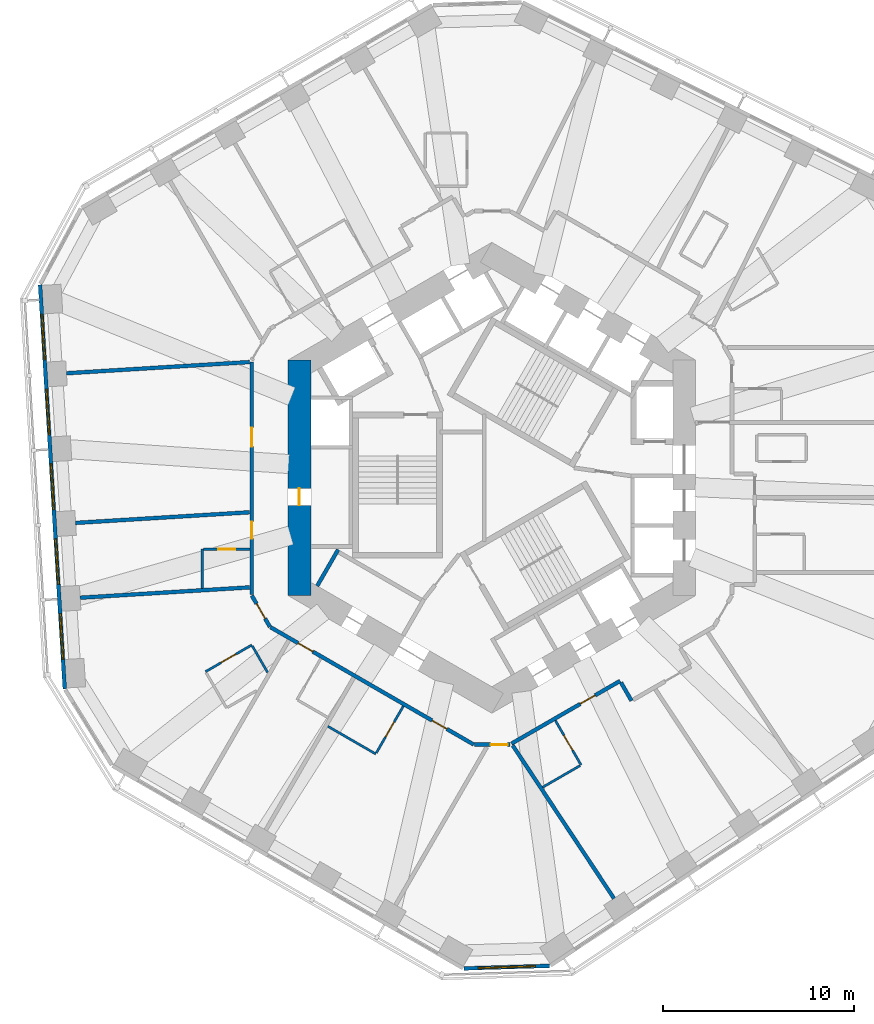
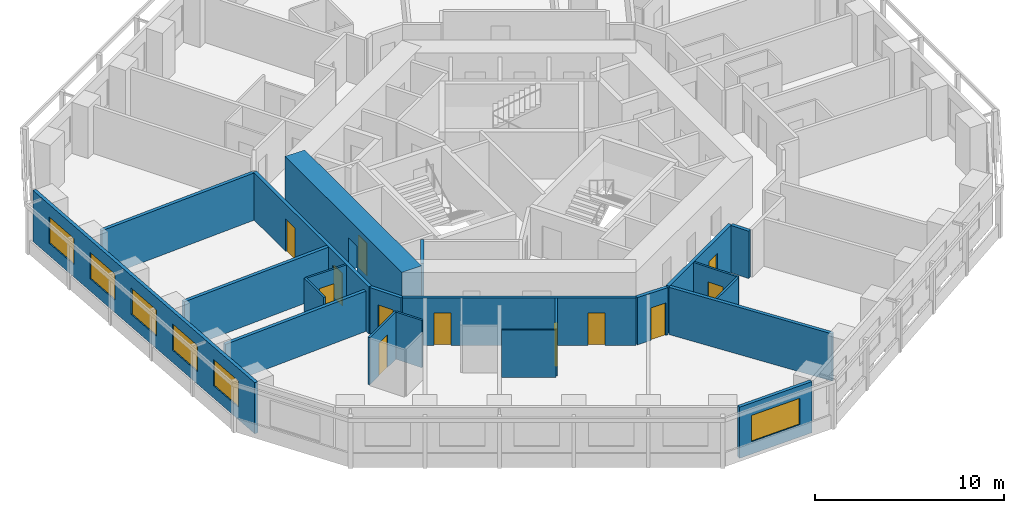
# One storey, part 4 of 12: 22 walls, 12 doors, 6 windows, 18 openings.
"""IFC4 building model written with IfcOpenShell, lengths in metres."""

from ifc_helpers import new_model, si_unit, direction, frame, frame_2d, origin, place, context, subcontext, project, spatial, rectangle, extrude, material, layer, layer_set, type_object, element, fill, save


model = new_model("IFC4")

# Units and contexts
model_context = context("Model", 3, precision=1e-05, world=origin(), true_north=direction((0.0, 1.0)))
body_context = subcontext(model_context, "Body", "Model", "MODEL_VIEW")
ifc_project = project(units=[si_unit("LENGTHUNIT", "METRE"), si_unit("AREAUNIT", "SQUARE_METRE"), si_unit("VOLUMEUNIT", "CUBIC_METRE"), si_unit("PLANEANGLEUNIT", "RADIAN"), si_unit("MASSUNIT", "GRAM", prefix="KILO")], contexts=[model_context])

# Site, building, storey
site_placement = place(None, origin())
site = spatial("IfcSite", under=ifc_project, at=site_placement, CompositionType="ELEMENT")
building_placement = place(site_placement, origin())
building = spatial("IfcBuilding", under=site, at=building_placement, Name="Vanh Sen Convention Tower", CompositionType="ELEMENT")
storey_placement = place(building_placement, frame((0.0, 0.0, 50.60009765625)))
storey = spatial("IfcBuildingStorey", under=building, at=storey_placement, Name="L09", CompositionType="ELEMENT", Elevation=50.60009765625)

# Wall
ifc_material_1 = material(Name="Moisture-resistant gypsum board on steel studs", Category="steel")
ifc_layer_1 = layer(ifc_material_1, 0.1201171875)
ifc_layer_set_1 = layer_set([ifc_layer_1], Name="Moisture-resistant gypsum board on steel studs")
wall_type_1 = type_object("IfcWallType", Name="Bathroom partition 120", PredefinedType="PARTITIONING", material=ifc_layer_set_1)
wall_1_placement = place(storey_placement, frame((-15.199951171875, -5.8037109375, 0.0), z_axis=(0.0, 0.0, 1.0), x_axis=(0.0, 1.0, 0.0)))
element("IfcWall", 1, at=wall_1_placement, inside=storey, type_object=wall_type_1, Name="Bathroom partition 120", PredefinedType="PARTITIONING", context=body_context, shape_type="SweptSolid", body=[
    extrude(rectangle(XDim=2.059326171875, YDim=0.1201171875, at=frame_2d((1.02978515625, 0.0))), origin(), (0.0, 0.0, 1.0), 3.0498046875),
])

# Wall, opening, door
wall_2_placement = place(storey_placement, frame((-15.139892578125, -3.744384765625, 0.0), z_axis=(0.0, 0.0, 1.0), x_axis=(1.0, 0.0, 0.0)))
wall_2 = element("IfcWall", 2, at=wall_2_placement, inside=storey, type_object=wall_type_1, Name="Bathroom partition 120", PredefinedType="PARTITIONING", context=body_context, shape_type="SweptSolid", body=[
    extrude(rectangle(XDim=2.43994140625, YDim=0.1201171875, at=frame_2d((1.219970703125, 0.0))), origin(), (0.0, 0.0, 1.0), 3.0498046875),
])
opening_1_placement = place(wall_2_placement, frame((0.77001953125, 0.0, 0.0)))
opening_1 = element("IfcOpeningElement", 3, at=opening_1_placement, cuts=wall_2, Name="Opening D07121", PredefinedType="OPENING", context=body_context, shape_type="SweptSolid", body=[
    extrude(rectangle(XDim=0.89990234375, YDim=2.10009765625, at=frame_2d((0.449951171875, 1.050048828125))), frame((0.0, 0.070068359375, 0.0), z_axis=(0.0, -1.0, 0.0), x_axis=(1.0, 0.0, 0.0)), (0.0, 0.0, 1.0), 0.14013671875),
])
ifc_material_2 = material(Name="Laminate door in steel frame", Category="steel")
door_type_1 = type_object("IfcDoorType", Name="En-suite door 900", OperationType="SINGLE_SWING_LEFT", PredefinedType="DOOR", material=ifc_material_2)
door_1_placement = place(opening_1_placement, origin())
door_1 = element("IfcDoor", 4, at=door_1_placement, inside=storey, type_object=door_type_1, Name="En-suite door D07121", OperationType="SINGLE_SWING_LEFT", OverallHeight=2.10009765625, OverallWidth=0.89990234375, PredefinedType="DOOR", context=body_context, shape_type="SweptSolid", body=[
    extrude(rectangle(XDim=0.89990234375, YDim=2.10009765625, at=frame_2d((0.449951171875, 1.050048828125))), frame((0.0, 0.02490234375, 0.0), z_axis=(0.0, -1.0, 0.0), x_axis=(1.0, 0.0, 0.0)), (0.0, 0.0, 1.0), 0.050048828125),
])
fill(opening_1, door_1)

wall_3_placement = place(storey_placement, frame((-15.025634765625, -10.17626953125, 0.0), z_axis=(0.0, 0.0, 1.0), x_axis=(0.865996816683, 0.500049511043, 0.0)))
wall_3 = element("IfcWall", 5, at=wall_3_placement, inside=storey, type_object=wall_type_1, Name="Bathroom partition 120", PredefinedType="PARTITIONING", context=body_context, shape_type="SweptSolid", body=[
    extrude(rectangle(XDim=2.800048828125, YDim=0.1201171875, at=frame_2d((1.39990234375, 0.0))), origin(), (0.0, 0.0, 1.0), 3.0498046875),
])
opening_2_placement = place(wall_3_placement, frame((0.949951171875, 0.0, 0.0)))
opening_2 = element("IfcOpeningElement", 6, at=opening_2_placement, cuts=wall_3, Name="Opening D07123", PredefinedType="OPENING", context=body_context, shape_type="SweptSolid", body=[
    extrude(rectangle(XDim=0.89990234375, YDim=2.10009765625, at=frame_2d((0.449951171875, 1.050048828125))), frame((0.0, 0.070068359375, 0.0), z_axis=(0.0, -1.0, 0.0), x_axis=(1.0, 0.0, 0.0)), (0.0, 0.0, 1.0), 0.14013671875),
])
door_2_placement = place(opening_2_placement, origin())
door_2 = element("IfcDoor", 7, at=door_2_placement, inside=storey, type_object=door_type_1, Name="En-suite door D07123", OperationType="SINGLE_SWING_LEFT", OverallHeight=2.10009765625, OverallWidth=0.89990234375, PredefinedType="DOOR", context=body_context, shape_type="SweptSolid", body=[
    extrude(rectangle(XDim=0.89990234375, YDim=2.10009765625, at=frame_2d((0.449951171875, 1.050048828125))), frame((0.0, 0.02490234375, 0.0), z_axis=(0.0, -1.0, 0.0), x_axis=(1.0, 0.0, 0.0)), (0.0, 0.0, 1.0), 0.050048828125),
])
fill(opening_2, door_2)

# Walls
wall_4_placement = place(storey_placement, frame((-12.57080078125, -8.828125, 0.0), z_axis=(0.0, 0.0, 1.0), x_axis=(0.499960029081, -0.866048479775, 0.0)))
element("IfcWall", 8, at=wall_4_placement, inside=storey, type_object=wall_type_1, Name="Bathroom partition 120", PredefinedType="PARTITIONING", context=body_context, shape_type="SweptSolid", body=[
    extrude(rectangle(XDim=1.601318359375, YDim=0.1201171875, at=frame_2d((0.80078125, 0.0))), origin(), (0.0, 0.0, 1.0), 3.0498046875),
])
wall_5_placement = place(storey_placement, frame((-6.093994140625, -14.494873046875, 0.0), z_axis=(0.0, 0.0, 1.0), x_axis=(-0.866032775405, 0.499987231761, 0.0)))
element("IfcWall", 9, at=wall_5_placement, inside=storey, type_object=wall_type_1, Name="Bathroom partition 120", PredefinedType="PARTITIONING", context=body_context, shape_type="SweptSolid", body=[
    extrude(rectangle(XDim=2.89990234375, YDim=0.1201171875, at=frame_2d((1.449951171875, 0.0))), origin(), (0.0, 0.0, 1.0), 3.0498046875),
])

# Wall, opening, door
wall_6_placement = place(storey_placement, frame((-4.64404296875, -11.9833984375, 0.0), z_axis=(0.0, 0.0, 1.0), x_axis=(-0.499985389037, -0.866033839264, 0.0)))
wall_6 = element("IfcWall", 10, at=wall_6_placement, inside=storey, type_object=wall_type_1, Name="Bathroom partition 120", PredefinedType="PARTITIONING", context=body_context, shape_type="SweptSolid", body=[
    extrude(rectangle(XDim=2.83984375, YDim=0.1201171875, at=frame_2d((1.419921875, 0.0))), origin(), (0.0, 0.0, 1.0), 3.0498046875),
])
opening_3_placement = place(wall_6_placement, frame((0.969970703125, 0.0, 0.0)))
opening_3 = element("IfcOpeningElement", 11, at=opening_3_placement, cuts=wall_6, Name="Opening D07127", PredefinedType="OPENING", context=body_context, shape_type="SweptSolid", body=[
    extrude(rectangle(XDim=0.89990234375, YDim=2.10009765625, at=frame_2d((0.449951171875, 1.050048828125))), frame((0.0, 0.070068359375, 0.0), z_axis=(0.0, -1.0, 0.0), x_axis=(1.0, 0.0, 0.0)), (0.0, 0.0, 1.0), 0.14013671875),
])
door_3_placement = place(opening_3_placement, origin())
door_3 = element("IfcDoor", 12, at=door_3_placement, inside=storey, type_object=door_type_1, Name="En-suite door D07127", OperationType="SINGLE_SWING_LEFT", OverallHeight=2.10009765625, OverallWidth=0.89990234375, PredefinedType="DOOR", context=body_context, shape_type="SweptSolid", body=[
    extrude(rectangle(XDim=0.89990234375, YDim=2.10009765625, at=frame_2d((0.449951171875, 1.050048828125))), frame((0.0, 0.02490234375, 0.0), z_axis=(0.0, -1.0, 0.0), x_axis=(1.0, 0.0, 0.0)), (0.0, 0.0, 1.0), 0.050048828125),
])
fill(opening_3, door_3)

wall_7_placement = place(storey_placement, frame((3.335205078125, -12.7392578125, 0.0), z_axis=(0.0, 0.0, 1.0), x_axis=(0.499980770555, -0.866036505625, 0.0)))
wall_7 = element("IfcWall", 13, at=wall_7_placement, inside=storey, type_object=wall_type_1, Name="Bathroom partition 120", PredefinedType="PARTITIONING", context=body_context, shape_type="SweptSolid", body=[
    extrude(rectangle(XDim=2.69970703125, YDim=0.1201171875, at=frame_2d((1.349853515625, 0.0))), origin(), (0.0, 0.0, 1.0), 3.0498046875),
])
opening_4_placement = place(wall_7_placement, frame((0.89990234375, 0.0, 0.0)))
opening_4 = element("IfcOpeningElement", 14, at=opening_4_placement, cuts=wall_7, Name="Opening D07130", PredefinedType="OPENING", context=body_context, shape_type="SweptSolid", body=[
    extrude(rectangle(XDim=0.89990234375, YDim=2.10009765625, at=frame_2d((0.449951171875, 1.050048828125))), frame((0.0, 0.070068359375, 0.0), z_axis=(0.0, -1.0, 0.0), x_axis=(1.0, 0.0, 0.0)), (0.0, 0.0, 1.0), 0.14013671875),
])
door_4_placement = place(opening_4_placement, origin())
door_4 = element("IfcDoor", 15, at=door_4_placement, inside=storey, type_object=door_type_1, Name="En-suite door D07130", OperationType="SINGLE_SWING_LEFT", OverallHeight=2.10009765625, OverallWidth=0.89990234375, PredefinedType="DOOR", context=body_context, shape_type="SweptSolid", body=[
    extrude(rectangle(XDim=0.89990234375, YDim=2.10009765625, at=frame_2d((0.449951171875, 1.050048828125))), frame((0.0, 0.02490234375, 0.0), z_axis=(0.0, -1.0, 0.0), x_axis=(1.0, 0.0, 0.0)), (0.0, 0.0, 1.0), 0.050048828125),
])
fill(opening_4, door_4)

# Wall
wall_8_placement = place(storey_placement, frame((4.633056640625, -15.107421875, 0.0), z_axis=(0.0, 0.0, 1.0), x_axis=(-0.866022496617, -0.500005035328, 0.0)))
element("IfcWall", 16, at=wall_8_placement, inside=storey, type_object=wall_type_1, Name="Bathroom partition 120", PredefinedType="PARTITIONING", context=body_context, shape_type="SweptSolid", body=[
    extrude(rectangle(XDim=2.2685546875, YDim=0.1201171875, at=frame_2d((1.13427734375, 0.0))), origin(), (0.0, 0.0, 1.0), 3.0498046875),
])

# Wall, opening, door
ifc_material_3 = material(Name="Concrete C80/95", Category="concrete")
ifc_layer_2 = layer(ifc_material_3, 1.199951171875)
ifc_layer_set_2 = layer_set([ifc_layer_2], Name="Concrete C80/95")
wall_type_2 = type_object("IfcWallType", Name="Core outer wall 1200 C80/95", PredefinedType="SHEAR", material=ifc_layer_set_2)
wall_9_placement = place(storey_placement, frame((-10.10009765625, 6.177490234375, 0.0), z_axis=(0.0, 0.0, 1.0), x_axis=(0.0, -1.0, 0.0)))
wall_9 = element("IfcWall", 17, at=wall_9_placement, inside=storey, type_object=wall_type_2, Name="Core wall face W L09", PredefinedType="SHEAR", context=body_context, shape_type="SweptSolid", body=[
    extrude(rectangle(XDim=12.35498046875, YDim=1.199951171875, at=frame_2d((6.177490234375, 0.0))), origin(), (0.0, 0.0, 1.0), 3.2998046875),
])
opening_5_placement = place(wall_9_placement, frame((6.7275390625, 0.0, 0.0)))
opening_5 = element("IfcOpeningElement", 18, at=opening_5_placement, cuts=wall_9, Name="Opening D07010", PredefinedType="OPENING", context=body_context, shape_type="SweptSolid", body=[
    extrude(rectangle(XDim=0.89990234375, YDim=2.10009765625, at=frame_2d((0.449951171875, 1.050048828125))), frame((0.0, 0.60986328125, 0.0), z_axis=(0.0, -1.0, 0.0), x_axis=(1.0, 0.0, 0.0)), (0.0, 0.0, 1.0), 1.219970703125),
])
ifc_material_4 = material(Name="Steel S355", Category="steel")
door_type_2 = type_object("IfcDoorType", Name="Plant door 900", OperationType="SINGLE_SWING_LEFT", PredefinedType="DOOR", material=ifc_material_4)
door_5_placement = place(opening_5_placement, origin())
door_5 = element("IfcDoor", 19, at=door_5_placement, inside=storey, type_object=door_type_2, Name="Plant door D07010", OperationType="SINGLE_SWING_LEFT", OverallHeight=2.10009765625, OverallWidth=0.89990234375, PredefinedType="DOOR", context=body_context, shape_type="SweptSolid", body=[
    extrude(rectangle(XDim=0.89990234375, YDim=2.10009765625, at=frame_2d((0.449951171875, 1.050048828125))), frame((0.0, 0.02490234375, 0.0), z_axis=(0.0, -1.0, 0.0), x_axis=(1.0, 0.0, 0.0)), (0.0, 0.0, 1.0), 0.050048828125),
])
fill(opening_5, door_5)

ifc_material_5 = material(Name="Gypsum board on steel studs with mineral wool", Category="steel")
ifc_layer_3 = layer(ifc_material_5, 0.199951171875)
ifc_layer_set_3 = layer_set([ifc_layer_3], Name="Gypsum board on steel studs with mineral wool")
wall_type_3 = type_object("IfcWallType", Name="Corridor partition wall 200", PredefinedType="PARTITIONING", material=ifc_layer_set_3)
wall_10_placement = place(storey_placement, frame((-12.60009765625, -6.177490234375, 0.0), z_axis=(0.0, 0.0, 1.0), x_axis=(0.500063520245, -0.865988727248, 0.0)))
wall_10 = element("IfcWall", 20, at=wall_10_placement, inside=storey, type_object=wall_type_3, Name="Corridor partition wall 200", PredefinedType="PARTITIONING", context=body_context, shape_type="SweptSolid", body=[
    extrude(rectangle(XDim=1.900146484375, YDim=0.199951171875, at=frame_2d((0.9501953125, 0.0))), origin(), (0.0, 0.0, 1.0), 3.0498046875),
])
opening_6_placement = place(wall_10_placement, frame((0.5, 0.0, 0.0)))
opening_6 = element("IfcOpeningElement", 21, at=opening_6_placement, cuts=wall_10, Name="Opening D07122", PredefinedType="OPENING", context=body_context, shape_type="SweptSolid", body=[
    extrude(rectangle(XDim=0.89990234375, YDim=2.10009765625, at=frame_2d((0.449951171875, 1.050048828125))), frame((0.0, 0.10986328125, 0.0), z_axis=(0.0, -1.0, 0.0), x_axis=(1.0, 0.0, 0.0)), (0.0, 0.0, 1.0), 0.219970703125),
])
ifc_material_6 = material(Name="Timber fire door in steel frame", Category="steel")
door_type_3 = type_object("IfcDoorType", Name="Guest room door 900", OperationType="SINGLE_SWING_LEFT", PredefinedType="DOOR", material=ifc_material_6)
door_6_placement = place(opening_6_placement, origin())
door_6 = element("IfcDoor", 22, at=door_6_placement, inside=storey, type_object=door_type_3, Name="Hotel guest room door D07122", OperationType="SINGLE_SWING_LEFT", OverallHeight=2.10009765625, OverallWidth=0.89990234375, PredefinedType="DOOR", context=body_context, shape_type="SweptSolid", body=[
    extrude(rectangle(XDim=0.89990234375, YDim=2.10009765625, at=frame_2d((0.449951171875, 1.050048828125))), frame((0.0, 0.02490234375, 0.0), z_axis=(0.0, -1.0, 0.0), x_axis=(1.0, 0.0, 0.0)), (0.0, 0.0, 1.0), 0.050048828125),
])
fill(opening_6, door_6)

# Wall, openings, doors
wall_11_placement = place(storey_placement, frame((-12.60009765625, 6.081298828125, 0.0), z_axis=(0.0, 0.0, 1.0), x_axis=(0.0, -1.0, 0.0)))
wall_11 = element("IfcWall", 23, at=wall_11_placement, inside=storey, type_object=wall_type_3, Name="Corridor partition wall 200", PredefinedType="PARTITIONING", context=body_context, shape_type="SweptSolid", body=[
    extrude(rectangle(XDim=12.218994140625, YDim=0.199951171875, at=frame_2d((6.109375, 0.0))), origin(), (0.0, 0.0, 1.0), 3.0498046875),
])
opening_7_placement = place(wall_11_placement, frame((3.44189453125, 0.0, 0.0)))
opening_7 = element("IfcOpeningElement", 24, at=opening_7_placement, cuts=wall_11, Name="Opening D07119", PredefinedType="OPENING", context=body_context, shape_type="SweptSolid", body=[
    extrude(rectangle(XDim=1.0, YDim=2.10009765625, at=frame_2d((0.5, 1.050048828125))), frame((0.0, 0.10986328125, 0.0), z_axis=(0.0, -1.0, 0.0), x_axis=(1.0, 0.0, 0.0)), (0.0, 0.0, 1.0), 0.219970703125),
])
opening_8_placement = place(wall_11_placement, frame((8.3798828125, 0.0, 0.0)))
opening_8 = element("IfcOpeningElement", 25, at=opening_8_placement, cuts=wall_11, Name="Opening D07120", PredefinedType="OPENING", context=body_context, shape_type="SweptSolid", body=[
    extrude(rectangle(XDim=0.89990234375, YDim=2.10009765625, at=frame_2d((0.449951171875, 1.050048828125))), frame((0.0, 0.10986328125, 0.0), z_axis=(0.0, -1.0, 0.0), x_axis=(1.0, 0.0, 0.0)), (0.0, 0.0, 1.0), 0.219970703125),
])
door_type_4 = type_object("IfcDoorType", Name="Floor room door 1000", OperationType="SINGLE_SWING_LEFT", PredefinedType="DOOR", material=ifc_material_6)
door_7_placement = place(opening_7_placement, origin())
door_7 = element("IfcDoor", 26, at=door_7_placement, inside=storey, type_object=door_type_4, Name="Meeting and amenity room door D07119", OperationType="SINGLE_SWING_LEFT", OverallHeight=2.10009765625, OverallWidth=1.0, PredefinedType="DOOR", context=body_context, shape_type="SweptSolid", body=[
    extrude(rectangle(XDim=1.0, YDim=2.10009765625, at=frame_2d((0.5, 1.050048828125))), frame((0.0, 0.02490234375, 0.0), z_axis=(0.0, -1.0, 0.0), x_axis=(1.0, 0.0, 0.0)), (0.0, 0.0, 1.0), 0.050048828125),
])
fill(opening_7, door_7)
door_8_placement = place(opening_8_placement, origin())
door_8 = element("IfcDoor", 27, at=door_8_placement, inside=storey, type_object=door_type_3, Name="Hotel guest room door D07120", OperationType="SINGLE_SWING_LEFT", OverallHeight=2.10009765625, OverallWidth=0.89990234375, PredefinedType="DOOR", context=body_context, shape_type="SweptSolid", body=[
    extrude(rectangle(XDim=0.89990234375, YDim=2.10009765625, at=frame_2d((0.449951171875, 1.050048828125))), frame((0.0, 0.02490234375, 0.0), z_axis=(0.0, -1.0, 0.0), x_axis=(1.0, 0.0, 0.0)), (0.0, 0.0, 1.0), 0.050048828125),
])
fill(opening_8, door_8)

wall_12_placement = place(storey_placement, frame((-11.615478515625, -7.843017578125, 0.0), z_axis=(0.0, 0.0, 1.0), x_axis=(0.866026466995, -0.499998158461, 0.0)))
wall_12 = element("IfcWall", 28, at=wall_12_placement, inside=storey, type_object=wall_type_3, Name="Corridor partition wall 200", PredefinedType="PARTITIONING", context=body_context, shape_type="SweptSolid", body=[
    extrude(rectangle(XDim=12.3154296875, YDim=0.199951171875, at=frame_2d((6.15771484375, 0.0))), origin(), (0.0, 0.0, 1.0), 3.0498046875),
])
opening_9_placement = place(wall_12_placement, frame((1.665283203125, 0.0, 0.0)))
opening_9 = element("IfcOpeningElement", 29, at=opening_9_placement, cuts=wall_12, Name="Opening D07124", PredefinedType="OPENING", context=body_context, shape_type="SweptSolid", body=[
    extrude(rectangle(XDim=0.89990234375, YDim=2.10009765625, at=frame_2d((0.449951171875, 1.050048828125))), frame((0.0, 0.10986328125, 0.0), z_axis=(0.0, -1.0, 0.0), x_axis=(1.0, 0.0, 0.0)), (0.0, 0.0, 1.0), 0.219970703125),
])
opening_10_placement = place(wall_12_placement, frame((9.78662109375, 0.0, 0.0)))
opening_10 = element("IfcOpeningElement", 30, at=opening_10_placement, cuts=wall_12, Name="Opening D07126", PredefinedType="OPENING", context=body_context, shape_type="SweptSolid", body=[
    extrude(rectangle(XDim=0.89990234375, YDim=2.10009765625, at=frame_2d((0.449951171875, 1.050048828125))), frame((0.0, 0.10986328125, 0.0), z_axis=(0.0, -1.0, 0.0), x_axis=(1.0, 0.0, 0.0)), (0.0, 0.0, 1.0), 0.219970703125),
])
door_9_placement = place(opening_9_placement, origin())
door_9 = element("IfcDoor", 31, at=door_9_placement, inside=storey, type_object=door_type_3, Name="Hotel guest room door D07124", OperationType="SINGLE_SWING_LEFT", OverallHeight=2.10009765625, OverallWidth=0.89990234375, PredefinedType="DOOR", context=body_context, shape_type="SweptSolid", body=[
    extrude(rectangle(XDim=0.89990234375, YDim=2.10009765625, at=frame_2d((0.449951171875, 1.050048828125))), frame((0.0, 0.02490234375, 0.0), z_axis=(0.0, -1.0, 0.0), x_axis=(1.0, 0.0, 0.0)), (0.0, 0.0, 1.0), 0.050048828125),
])
fill(opening_9, door_9)
door_10_placement = place(opening_10_placement, origin())
door_10 = element("IfcDoor", 32, at=door_10_placement, inside=storey, type_object=door_type_3, Name="Hotel guest room door D07126", OperationType="SINGLE_SWING_LEFT", OverallHeight=2.10009765625, OverallWidth=0.89990234375, PredefinedType="DOOR", context=body_context, shape_type="SweptSolid", body=[
    extrude(rectangle(XDim=0.89990234375, YDim=2.10009765625, at=frame_2d((0.449951171875, 1.050048828125))), frame((0.0, 0.02490234375, 0.0), z_axis=(0.0, -1.0, 0.0), x_axis=(1.0, 0.0, 0.0)), (0.0, 0.0, 1.0), 0.050048828125),
])
fill(opening_10, door_10)

# Wall, opening, door
wall_13_placement = place(storey_placement, frame((-0.909912109375, -14.000732421875, 0.0), z_axis=(0.0, 0.0, 1.0), x_axis=(1.0, 0.0, 0.0)))
wall_13 = element("IfcWall", 33, at=wall_13_placement, inside=storey, type_object=wall_type_3, Name="Corridor partition wall 200", PredefinedType="PARTITIONING", context=body_context, shape_type="SweptSolid", body=[
    extrude(rectangle(XDim=1.85986328125, YDim=0.199951171875, at=frame_2d((0.929931640625, 0.0))), origin(), (0.0, 0.0, 1.0), 3.0498046875),
])
opening_11_placement = place(wall_13_placement, frame((0.841796875, 0.0, 0.0)))
opening_11 = element("IfcOpeningElement", 34, at=opening_11_placement, cuts=wall_13, Name="Opening D07128", PredefinedType="OPENING", context=body_context, shape_type="SweptSolid", body=[
    extrude(rectangle(XDim=0.89990234375, YDim=2.10009765625, at=frame_2d((0.449951171875, 1.050048828125))), frame((0.0, 0.10986328125, 0.0), z_axis=(0.0, -1.0, 0.0), x_axis=(1.0, 0.0, 0.0)), (0.0, 0.0, 1.0), 0.219970703125),
])
door_type_5 = type_object("IfcDoorType", Name="Floor room door 900", OperationType="SINGLE_SWING_LEFT", PredefinedType="DOOR", material=ifc_material_6)
door_11_placement = place(opening_11_placement, origin())
door_11 = element("IfcDoor", 35, at=door_11_placement, inside=storey, type_object=door_type_5, Name="Meeting and amenity room door D07128", OperationType="SINGLE_SWING_LEFT", OverallHeight=2.10009765625, OverallWidth=0.89990234375, PredefinedType="DOOR", context=body_context, shape_type="SweptSolid", body=[
    extrude(rectangle(XDim=0.89990234375, YDim=2.10009765625, at=frame_2d((0.449951171875, 1.050048828125))), frame((0.0, 0.02490234375, 0.0), z_axis=(0.0, -1.0, 0.0), x_axis=(1.0, 0.0, 0.0)), (0.0, 0.0, 1.0), 0.050048828125),
])
fill(opening_11, door_11)

wall_14_placement = place(storey_placement, frame((1.033447265625, -13.95263671875, 0.0), z_axis=(0.0, 0.0, 1.0), x_axis=(0.866017531406, 0.500013635111, 0.0)))
wall_14 = element("IfcWall", 36, at=wall_14_placement, inside=storey, type_object=wall_type_3, Name="Corridor partition wall 200", PredefinedType="PARTITIONING", context=body_context, shape_type="SweptSolid", body=[
    extrude(rectangle(XDim=6.580322265625, YDim=0.199951171875, at=frame_2d((3.2900390625, 0.0))), origin(), (0.0, 0.0, 1.0), 3.0498046875),
])
opening_12_placement = place(wall_14_placement, frame((4.1650390625, 0.0, 0.0)))
opening_12 = element("IfcOpeningElement", 37, at=opening_12_placement, cuts=wall_14, Name="Opening D07129", PredefinedType="OPENING", context=body_context, shape_type="SweptSolid", body=[
    extrude(rectangle(XDim=0.89990234375, YDim=2.10009765625, at=frame_2d((0.449951171875, 1.050048828125))), frame((0.0, 0.10986328125, 0.0), z_axis=(0.0, -1.0, 0.0), x_axis=(1.0, 0.0, 0.0)), (0.0, 0.0, 1.0), 0.219970703125),
])
door_12_placement = place(opening_12_placement, origin())
door_12 = element("IfcDoor", 38, at=door_12_placement, inside=storey, type_object=door_type_3, Name="Hotel guest room door D07129", OperationType="SINGLE_SWING_LEFT", OverallHeight=2.10009765625, OverallWidth=0.89990234375, PredefinedType="DOOR", context=body_context, shape_type="SweptSolid", body=[
    extrude(rectangle(XDim=0.89990234375, YDim=2.10009765625, at=frame_2d((0.449951171875, 1.050048828125))), frame((0.0, 0.02490234375, 0.0), z_axis=(0.0, -1.0, 0.0), x_axis=(1.0, 0.0, 0.0)), (0.0, 0.0, 1.0), 0.050048828125),
])
fill(opening_12, door_12)

# Wall
wall_15_placement = place(storey_placement, frame((6.781982421875, -10.7490234375, 0.0), z_axis=(0.0, 0.0, 1.0), x_axis=(0.500074377092, -0.865982457891, 0.0)))
element("IfcWall", 39, at=wall_15_placement, inside=storey, type_object=wall_type_3, Name="Corridor partition wall 200", PredefinedType="PARTITIONING", context=body_context, shape_type="SweptSolid", body=[
    extrude(rectangle(XDim=1.100830078125, YDim=0.199951171875, at=frame_2d((0.55029296875, 0.0))), origin(), (0.0, 0.0, 1.0), 3.0498046875),
])

# Wall, openings, windows
ifc_material_7 = material(Name="Insulated lightweight infill wall")
ifc_layer_4 = layer(ifc_material_7, 0.199951171875)
ifc_layer_set_4 = layer_set([ifc_layer_4], Name="Insulated lightweight infill wall")
wall_type_4 = type_object("IfcWallType", Name="External wall 200", PredefinedType="STANDARD", material=ifc_layer_set_4)
wall_16_placement = place(storey_placement, frame((-23.712646484375, 10.130859375, 0.0), z_axis=(0.0, 0.0, 1.0), x_axis=(0.061040439785, -0.998135293791, 0.0)))
wall_16 = element("IfcWall", 40, at=wall_16_placement, inside=storey, type_object=wall_type_4, Name="External wall W L09", PredefinedType="STANDARD", context=body_context, shape_type="SweptSolid", body=[
    extrude(rectangle(XDim=21.24609375, YDim=0.199951171875, at=frame_2d((10.623046875, 0.0))), origin(), (0.0, 0.0, 1.0), 3.2998046875),
])
opening_13_placement = place(wall_16_placement, frame((1.552978515625, 0.0, 0.800048828125)))
opening_13 = element("IfcOpeningElement", 41, at=opening_13_placement, cuts=wall_16, Name="Opening WH1-W1", PredefinedType="OPENING", context=body_context, shape_type="SweptSolid", body=[
    extrude(rectangle(XDim=2.39990234375, YDim=1.699951171875, at=frame_2d((1.199951171875, 0.85009765625))), frame((0.0, 0.10986328125, 0.0), z_axis=(0.0, -1.0, 0.0), x_axis=(1.0, 0.0, 0.0)), (0.0, 0.0, 1.0), 0.219970703125),
])
opening_14_placement = place(wall_16_placement, frame((5.48779296875, 0.0, 0.800048828125)))
opening_14 = element("IfcOpeningElement", 42, at=opening_14_placement, cuts=wall_16, Name="Opening WH1-W2", PredefinedType="OPENING", context=body_context, shape_type="SweptSolid", body=[
    extrude(rectangle(XDim=2.39990234375, YDim=1.699951171875, at=frame_2d((1.199951171875, 0.85009765625))), frame((0.0, 0.10986328125, 0.0), z_axis=(0.0, -1.0, 0.0), x_axis=(1.0, 0.0, 0.0)), (0.0, 0.0, 1.0), 0.219970703125),
])
opening_15_placement = place(wall_16_placement, frame((9.42236328125, 0.0, 0.800048828125)))
opening_15 = element("IfcOpeningElement", 43, at=opening_15_placement, cuts=wall_16, Name="Opening WH1-W3", PredefinedType="OPENING", context=body_context, shape_type="SweptSolid", body=[
    extrude(rectangle(XDim=2.39990234375, YDim=1.699951171875, at=frame_2d((1.199951171875, 0.85009765625))), frame((0.0, 0.10986328125, 0.0), z_axis=(0.0, -1.0, 0.0), x_axis=(1.0, 0.0, 0.0)), (0.0, 0.0, 1.0), 0.219970703125),
])
opening_16_placement = place(wall_16_placement, frame((13.35693359375, 0.0, 0.800048828125)))
opening_16 = element("IfcOpeningElement", 44, at=opening_16_placement, cuts=wall_16, Name="Opening WH1-W4", PredefinedType="OPENING", context=body_context, shape_type="SweptSolid", body=[
    extrude(rectangle(XDim=2.39990234375, YDim=1.699951171875, at=frame_2d((1.199951171875, 0.85009765625))), frame((0.0, 0.10986328125, 0.0), z_axis=(0.0, -1.0, 0.0), x_axis=(1.0, 0.0, 0.0)), (0.0, 0.0, 1.0), 0.219970703125),
])
opening_17_placement = place(wall_16_placement, frame((17.29150390625, 0.0, 0.800048828125)))
opening_17 = element("IfcOpeningElement", 45, at=opening_17_placement, cuts=wall_16, Name="Opening WH1-W5", PredefinedType="OPENING", context=body_context, shape_type="SweptSolid", body=[
    extrude(rectangle(XDim=2.39990234375, YDim=1.699951171875, at=frame_2d((1.199951171875, 0.85009765625))), frame((0.0, 0.10986328125, 0.0), z_axis=(0.0, -1.0, 0.0), x_axis=(1.0, 0.0, 0.0)), (0.0, 0.0, 1.0), 0.219970703125),
])
ifc_material_8 = material(Name="Aluminium frame with clear low-emissivity glass", Category="aluminium")
window_type_1 = type_object("IfcWindowType", Name="Hotel window 2400 x 1700", PartitioningType="SINGLE_PANEL", PredefinedType="WINDOW", material=ifc_material_8)
window_1_placement = place(opening_13_placement, origin())
window_1 = element("IfcWindow", 46, at=window_1_placement, inside=storey, type_object=window_type_1, Name="Window WH1-W1", OverallHeight=1.699951171875, OverallWidth=2.39990234375, PartitioningType="SINGLE_PANEL", PredefinedType="WINDOW", context=body_context, shape_type="SweptSolid", body=[
    extrude(rectangle(XDim=2.39990234375, YDim=1.699951171875, at=frame_2d((1.199951171875, 0.85009765625))), frame((0.0, 0.030029296875, 0.0), z_axis=(0.0, -1.0, 0.0), x_axis=(1.0, 0.0, 0.0)), (0.0, 0.0, 1.0), 0.06005859375),
])
fill(opening_13, window_1)
window_2_placement = place(opening_14_placement, origin())
window_2 = element("IfcWindow", 47, at=window_2_placement, inside=storey, type_object=window_type_1, Name="Window WH1-W2", OverallHeight=1.699951171875, OverallWidth=2.39990234375, PartitioningType="SINGLE_PANEL", PredefinedType="WINDOW", context=body_context, shape_type="SweptSolid", body=[
    extrude(rectangle(XDim=2.39990234375, YDim=1.699951171875, at=frame_2d((1.199951171875, 0.85009765625))), frame((0.0, 0.030029296875, 0.0), z_axis=(0.0, -1.0, 0.0), x_axis=(1.0, 0.0, 0.0)), (0.0, 0.0, 1.0), 0.06005859375),
])
fill(opening_14, window_2)
window_3_placement = place(opening_15_placement, origin())
window_3 = element("IfcWindow", 48, at=window_3_placement, inside=storey, type_object=window_type_1, Name="Window WH1-W3", OverallHeight=1.699951171875, OverallWidth=2.39990234375, PartitioningType="SINGLE_PANEL", PredefinedType="WINDOW", context=body_context, shape_type="SweptSolid", body=[
    extrude(rectangle(XDim=2.39990234375, YDim=1.699951171875, at=frame_2d((1.199951171875, 0.85009765625))), frame((0.0, 0.030029296875, 0.0), z_axis=(0.0, -1.0, 0.0), x_axis=(1.0, 0.0, 0.0)), (0.0, 0.0, 1.0), 0.06005859375),
])
fill(opening_15, window_3)
window_4_placement = place(opening_16_placement, origin())
window_4 = element("IfcWindow", 49, at=window_4_placement, inside=storey, type_object=window_type_1, Name="Window WH1-W4", OverallHeight=1.699951171875, OverallWidth=2.39990234375, PartitioningType="SINGLE_PANEL", PredefinedType="WINDOW", context=body_context, shape_type="SweptSolid", body=[
    extrude(rectangle(XDim=2.39990234375, YDim=1.699951171875, at=frame_2d((1.199951171875, 0.85009765625))), frame((0.0, 0.030029296875, 0.0), z_axis=(0.0, -1.0, 0.0), x_axis=(1.0, 0.0, 0.0)), (0.0, 0.0, 1.0), 0.06005859375),
])
fill(opening_16, window_4)
window_5_placement = place(opening_17_placement, origin())
window_5 = element("IfcWindow", 50, at=window_5_placement, inside=storey, type_object=window_type_1, Name="Window WH1-W5", OverallHeight=1.699951171875, OverallWidth=2.39990234375, PartitioningType="SINGLE_PANEL", PredefinedType="WINDOW", context=body_context, shape_type="SweptSolid", body=[
    extrude(rectangle(XDim=2.39990234375, YDim=1.699951171875, at=frame_2d((1.199951171875, 0.85009765625))), frame((0.0, 0.030029296875, 0.0), z_axis=(0.0, -1.0, 0.0), x_axis=(1.0, 0.0, 0.0)), (0.0, 0.0, 1.0), 0.06005859375),
])
fill(opening_17, window_5)

# Wall, opening, window
wall_17_placement = place(storey_placement, frame((-1.461181640625, -25.7548828125, 0.0), z_axis=(0.0, 0.0, 1.0), x_axis=(0.999533823446, 0.030530898895, 0.0)))
wall_17 = element("IfcWall", 51, at=wall_17_placement, inside=storey, type_object=wall_type_4, Name="External wall CH5 L09", PredefinedType="STANDARD", context=body_context, shape_type="SweptSolid", body=[
    extrude(rectangle(XDim=4.494140625, YDim=0.199951171875, at=frame_2d((2.2470703125, 0.0))), origin(), (0.0, 0.0, 1.0), 3.2998046875),
])
opening_18_placement = place(wall_17_placement, frame((0.7470703125, 0.0, 0.800048828125)))
opening_18 = element("IfcOpeningElement", 52, at=opening_18_placement, cuts=wall_17, Name="Opening WH2-CH51", PredefinedType="OPENING", context=body_context, shape_type="SweptSolid", body=[
    extrude(rectangle(XDim=3.0, YDim=1.699951171875, at=frame_2d((1.5, 0.85009765625))), frame((0.0, 0.10986328125, 0.0), z_axis=(0.0, -1.0, 0.0), x_axis=(1.0, 0.0, 0.0)), (0.0, 0.0, 1.0), 0.219970703125),
])
window_type_2 = type_object("IfcWindowType", Name="Hotel window 3000 x 1700", PartitioningType="SINGLE_PANEL", PredefinedType="WINDOW", material=ifc_material_8)
window_6_placement = place(opening_18_placement, origin())
window_6 = element("IfcWindow", 53, at=window_6_placement, inside=storey, type_object=window_type_2, Name="Window WH2-CH51", OverallHeight=1.699951171875, OverallWidth=3.0, PartitioningType="SINGLE_PANEL", PredefinedType="WINDOW", context=body_context, shape_type="SweptSolid", body=[
    extrude(rectangle(XDim=3.0, YDim=1.699951171875, at=frame_2d((1.5, 0.85009765625))), frame((0.0, 0.030029296875, 0.0), z_axis=(0.0, -1.0, 0.0), x_axis=(1.0, 0.0, 0.0)), (0.0, 0.0, 1.0), 0.06005859375),
])
fill(opening_18, window_6)

# Walls
ifc_layer_5 = layer(ifc_material_5, 0.199951171875)
ifc_layer_set_5 = layer_set([ifc_layer_5], Name="Gypsum board on steel studs with mineral wool")
wall_type_5 = type_object("IfcWallType", Name="Hotel party wall 200", PredefinedType="PARTITIONING", material=ifc_layer_set_5)
wall_18_placement = place(storey_placement, frame((-22.32666015625, 5.486328125, 0.0), z_axis=(0.0, 0.0, 1.0), x_axis=(0.998135194863, 0.061042057435, 0.0)))
element("IfcWall", 54, at=wall_18_placement, inside=storey, type_object=wall_type_5, Name="Hotel party wall 200", PredefinedType="PARTITIONING", context=body_context, shape_type="SweptSolid", body=[
    extrude(rectangle(XDim=9.635009765625, YDim=0.199951171875, at=frame_2d((4.8173828125, 0.0))), origin(), (0.0, 0.0, 1.0), 3.0498046875),
])
wall_19_placement = place(storey_placement, frame((-21.84619140625, -2.3681640625, 0.0), z_axis=(0.0, 0.0, 1.0), x_axis=(0.998134617584, 0.061051496129, 0.0)))
element("IfcWall", 55, at=wall_19_placement, inside=storey, type_object=wall_type_5, Name="Hotel party wall 200", PredefinedType="PARTITIONING", context=body_context, shape_type="SweptSolid", body=[
    extrude(rectangle(XDim=9.153564453125, YDim=0.199951171875, at=frame_2d((4.57666015625, 0.0))), origin(), (0.0, 0.0, 1.0), 3.0498046875),
])
wall_20_placement = place(storey_placement, frame((-21.60595703125, -6.29541015625, 0.0), z_axis=(0.0, 0.0, 1.0), x_axis=(0.998134305525, 0.061056597794, 0.0)))
element("IfcWall", 56, at=wall_20_placement, inside=storey, type_object=wall_type_5, Name="Hotel party wall 200", PredefinedType="PARTITIONING", context=body_context, shape_type="SweptSolid", body=[
    extrude(rectangle(XDim=8.912841796875, YDim=0.199951171875, at=frame_2d((4.45654296875, 0.0))), origin(), (0.0, 0.0, 1.0), 2.599853515625),
])
wall_21_placement = place(storey_placement, frame((6.411865234375, -22.07861328125, 0.0), z_axis=(0.0, 0.0, 1.0), x_axis=(-0.551919507115, 0.83389739037, 0.0)))
element("IfcWall", 57, at=wall_21_placement, inside=storey, type_object=wall_type_5, Name="Hotel party wall 200", PredefinedType="PARTITIONING", context=body_context, shape_type="SweptSolid", body=[
    extrude(rectangle(XDim=9.634765625, YDim=0.199951171875, at=frame_2d((4.8173828125, 0.0))), origin(), (0.0, 0.0, 1.0), 3.0498046875),
])
ifc_material_9 = material(Name="Concrete C40/50", Category="concrete")
ifc_layer_6 = layer(ifc_material_9, 0.199951171875)
ifc_layer_set_6 = layer_set([ifc_layer_6], Name="Concrete C40/50")
wall_type_6 = type_object("IfcWallType", Name="Lift shaft wall 200", PredefinedType="PARTITIONING", material=ifc_layer_set_6)
wall_22_placement = place(storey_placement, frame((-8.066650390625, -3.77197265625, 0.0), z_axis=(0.0, 0.0, 1.0), x_axis=(-0.50002983664, -0.866008176907, 0.0)))
element("IfcWall", 58, at=wall_22_placement, inside=storey, type_object=wall_type_6, Name="Lift shaft wall L09", PredefinedType="PARTITIONING", context=body_context, shape_type="SweptSolid", body=[
    extrude(rectangle(XDim=2.199951171875, YDim=0.199951171875, at=frame_2d((1.10009765625, 0.0))), origin(), (0.0, 0.0, 1.0), 3.0498046875),
])

save(model, "model.ifc")
